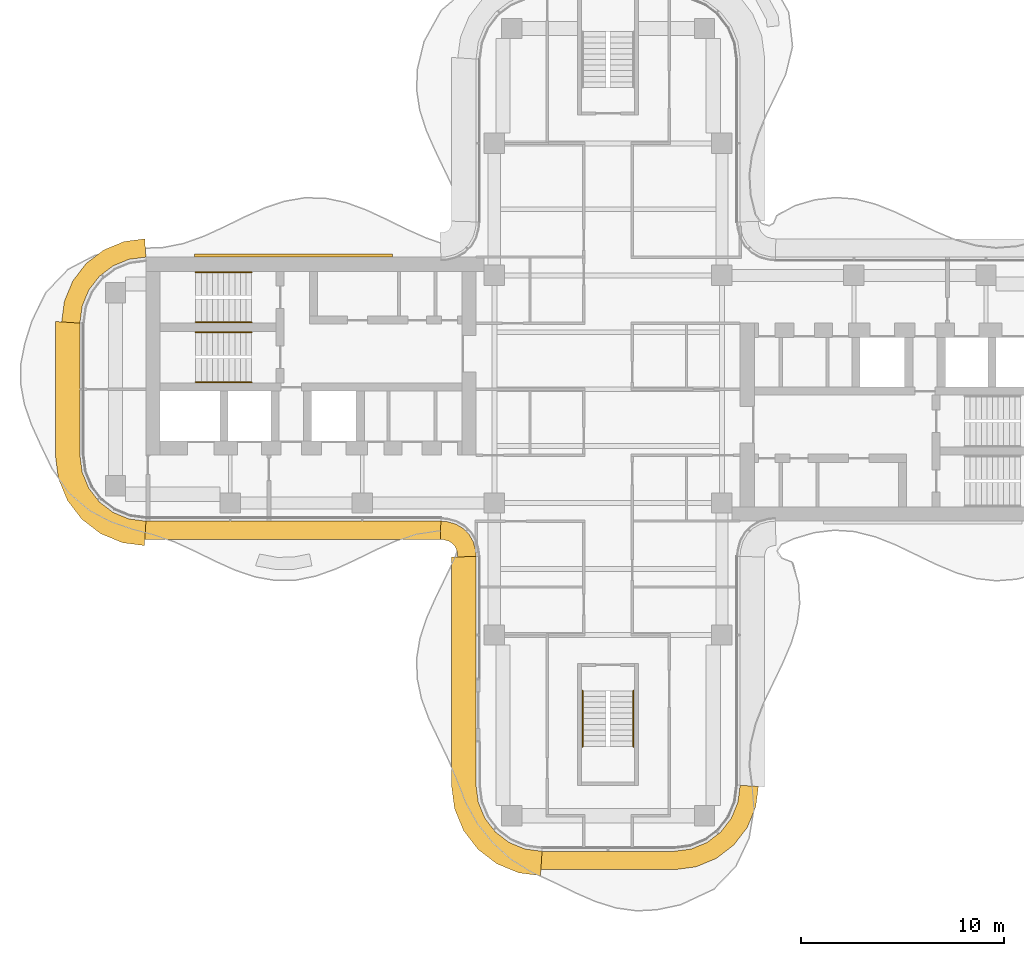
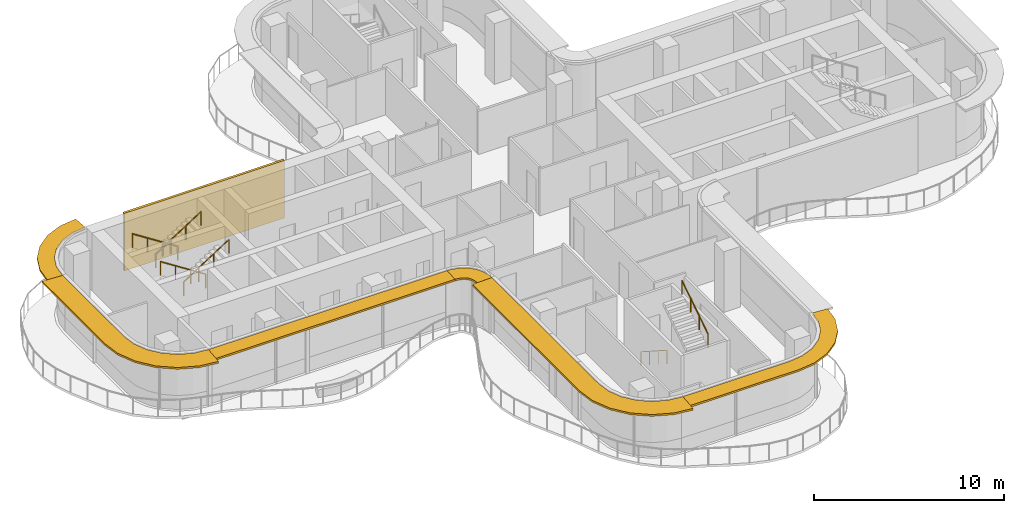
# One storey, part 15 of 16: 6 railings, 6 shading devices, 1 covering.
"""IFC4 building model written with IfcOpenShell, lengths in metres."""

import ifcopenshell
import ifcopenshell.guid

model = None  # the IFC model being written
_history = None  # IfcOwnerHistory: only IFC2X3 demands one
_inside = {}  # id of a spatial element -> (the spatial element, [elements in it])
_under = {}  # id of a project, library or spatial element -> (it, [spatial elements below it])
_declared = {}  # id of a project -> (the project, [libraries it declares])
_typed = {}  # id of a type object -> (the type object, [elements of that type])
_made_of = {}  # id of a material, layer set ... -> (it, [elements and type objects made of it])


def new_model(schema):
    """Start an empty IFC model of exactly this schema.

    Asked for "IFC4X3", IfcOpenShell would pick the latest addendum, in which some entities
    have other attributes; the version numbers below select the first issue.
    IFC2X3 requires an IfcOwnerHistory on every rooted entity: one is made here for all.
    """
    global model, _history
    if schema == "IFC4X3":
        model = ifcopenshell.file(schema_version=(4, 3, 0, 0))
    else:
        model = ifcopenshell.file(schema=schema)
    _inside.clear()
    _under.clear()
    _declared.clear()
    _typed.clear()
    _made_of.clear()
    _history = None
    if model.schema == "IFC2X3":
        org = make("IfcOrganization", Name="unknown")
        user = make(
            "IfcPersonAndOrganization",
            ThePerson=make("IfcPerson", FamilyName="unknown"),
            TheOrganization=org,
        )
        app = make(
            "IfcApplication",
            ApplicationDeveloper=org,
            Version="unknown",
            ApplicationFullName="unknown",
            ApplicationIdentifier="unknown",
        )
        _history = make(
            "IfcOwnerHistory",
            OwningUser=user,
            OwningApplication=app,
            ChangeAction="ADDED",
            CreationDate=0,
        )
    return model


def make(cls, **values):
    """One entity of the class cls with the attributes given. An attribute that is None is left unset."""
    return model.create_entity(
        cls, **{name: value for name, value in values.items() if value is not None}
    )


def rooted(cls, **values):
    """An entity with a GlobalId (a new one), such as an element, a storey or a relation."""
    return make(cls, GlobalId=ifcopenshell.guid.new(), OwnerHistory=_history, **values)


def si_unit(unit_type, name, prefix=None):
    """IfcSIUnit, for example si_unit("LENGTHUNIT", "METRE", prefix="MILLI")."""
    return make("IfcSIUnit", UnitType=unit_type, Prefix=prefix, Name=name)


def assignment(units):
    """IfcUnitAssignment: the units of a project."""
    return None if units is None else make("IfcUnitAssignment", Units=units)


def point(xyz):
    """IfcCartesianPoint."""
    return None if xyz is None else make("IfcCartesianPoint", Coordinates=xyz)


def direction(xyz):
    """IfcDirection."""
    return None if xyz is None else make("IfcDirection", DirectionRatios=xyz)


def frame(location, z_axis=None, x_axis=None):
    """IfcAxis2Placement3D, a coordinate frame: its origin and axes. An axis left out is left unset."""
    return make(
        "IfcAxis2Placement3D",
        Location=point(location),
        Axis=direction(z_axis),
        RefDirection=direction(x_axis),
    )


def frame_2d(location, x_axis=None):
    """IfcAxis2Placement2D, a coordinate frame in the plane: its origin and x axis."""
    return make(
        "IfcAxis2Placement2D", Location=point(location), RefDirection=direction(x_axis)
    )


def origin():
    """The frame at (0, 0, 0) with its axes left unset."""
    return frame((0.0, 0.0, 0.0))


def origin_2d():
    """The frame at (0, 0) in the plane with its x axis left unset."""
    return frame_2d((0.0, 0.0))


def place(relative_to, where):
    """IfcLocalPlacement: puts the frame where relative to a parent placement (None: the world)."""
    return make(
        "IfcLocalPlacement", PlacementRelTo=relative_to, RelativePlacement=where
    )


def context(
    kind, dimensions, precision=None, world=None, true_north=None, identifier=None
):
    """IfcGeometricRepresentationContext, for example the 3D "Model" context."""
    return make(
        "IfcGeometricRepresentationContext",
        ContextIdentifier=identifier,
        ContextType=kind,
        CoordinateSpaceDimension=dimensions,
        Precision=precision,
        WorldCoordinateSystem=world,
        TrueNorth=true_north,
    )


def subcontext(parent, identifier, kind, view, scale=None):
    """IfcGeometricRepresentationSubContext, for example "Body" below "Model"."""
    return make(
        "IfcGeometricRepresentationSubContext",
        ContextIdentifier=identifier,
        ContextType=kind,
        ParentContext=parent,
        TargetScale=scale,
        TargetView=view,
    )


def project(units=None, contexts=None):
    """IfcProject with its units and contexts."""
    return rooted(
        "IfcProject",
        Name="project",
        RepresentationContexts=contexts,
        UnitsInContext=assignment(units),
    )


def spatial(cls, under=None, at=None, **own):
    """A site, building, storey or space (cls), placed at a placement, below another one or the project."""
    s = rooted(cls, ObjectPlacement=at, **own)
    if under is not None:
        _under.setdefault(under.id(), (under, []))[1].append(s)
    return s


def polyline(points):
    """IfcPolyline through the points."""
    return make("IfcPolyline", Points=[point(p) for p in points])


def profile(cls, at=None, kind="AREA", **sizes):
    """A parametric profile (cls). Its sizes go by their IFC names, for example OverallWidth=200.0."""
    return make(cls, ProfileType=kind, Position=at, **sizes)


def circle(**sizes):
    """IfcCircleProfileDef."""
    return profile("IfcCircleProfileDef", **sizes)


def outline(outer, holes=None, kind="AREA"):
    """IfcArbitraryClosedProfileDef: a profile drawn as a closed curve; with holes, ...WithVoids."""
    if holes is None:
        return make("IfcArbitraryClosedProfileDef", ProfileType=kind, OuterCurve=outer)
    return make(
        "IfcArbitraryProfileDefWithVoids",
        ProfileType=kind,
        OuterCurve=outer,
        InnerCurves=holes,
    )


def extrude(swept, where, along, depth):
    """IfcExtrudedAreaSolid: the profile swept, set in the frame where, extruded along a direction by depth."""
    return make(
        "IfcExtrudedAreaSolid",
        SweptArea=swept,
        Position=where,
        ExtrudedDirection=direction(along),
        Depth=depth,
    )


def shape(context_of_items, identifier, shape_type, items):
    """IfcShapeRepresentation: the items that make up one representation, for example the "Body"."""
    return make(
        "IfcShapeRepresentation",
        ContextOfItems=context_of_items,
        RepresentationIdentifier=identifier,
        RepresentationType=shape_type,
        Items=items,
    )


def source(mapping_origin, context_of_items, identifier, shape_type, items):
    """IfcRepresentationMap: a shape defined once, which mapped items show again and again."""
    return make(
        "IfcRepresentationMap",
        MappingOrigin=mapping_origin,
        MappedRepresentation=shape(context_of_items, identifier, shape_type, items),
    )


def transform(
    local_origin,
    x_axis=None,
    y_axis=None,
    z_axis=None,
    scale=None,
    scale2=None,
    scale3=None,
    uniform=True,
):
    """IfcCartesianTransformationOperator3D, or its non-uniform kind. x_axis, y_axis, z_axis: its Axis1, 2, 3."""
    if uniform:
        return make(
            "IfcCartesianTransformationOperator3D",
            Axis1=direction(x_axis),
            Axis2=direction(y_axis),
            LocalOrigin=point(local_origin),
            Scale=scale,
            Axis3=direction(z_axis),
        )
    return make(
        "IfcCartesianTransformationOperator3DnonUniform",
        Axis1=direction(x_axis),
        Axis2=direction(y_axis),
        LocalOrigin=point(local_origin),
        Scale=scale,
        Axis3=direction(z_axis),
        Scale2=scale2,
        Scale3=scale3,
    )


def mapped(mapping_source, mapping_target):
    """IfcMappedItem: shows the shape of a source again, moved by a transform."""
    return make(
        "IfcMappedItem", MappingSource=mapping_source, MappingTarget=mapping_target
    )


def material(Name=None, Category=None):
    """IfcMaterial."""
    return make("IfcMaterial", Name=Name, Category=Category)


def layer(
    of_material, thickness, ventilated=None, Name=None, Category=None, Priority=None
):
    """IfcMaterialLayer: one layer of a wall or slab, of a material (None: an air gap)."""
    return make(
        "IfcMaterialLayer",
        Material=of_material,
        LayerThickness=thickness,
        IsVentilated=ventilated,
        Name=Name,
        Category=Category,
        Priority=Priority,
    )


def layer_set(layers, Name=None):
    """IfcMaterialLayerSet."""
    return make("IfcMaterialLayerSet", MaterialLayers=layers, LayerSetName=Name)


def made_of(thing, what):
    """Note that an element or type object is made of a material, layer set ...; save() writes the relation."""
    if what is not None:
        _made_of.setdefault(what.id(), (what, []))[1].append(thing)
    return thing


def type_object(cls, material=None, **own):
    """A type object (cls), such as IfcWallType, which elements share."""
    return made_of(rooted(cls, **own), material)


def element(
    cls,
    number,
    at=None,
    inside=None,
    cuts=None,
    type_object=None,
    material=None,
    context=None,
    identifier="Body",
    shape_type=None,
    held_by="IfcProductDefinitionShape",
    body=None,
    shapes=None,
    **own,
):
    """One element of the class cls, such as IfcWall. Its Tag is "e" and its number.

    at: its placement. inside: the storey or other place that contains it. cuts: it is an
    opening in that element (IfcRelVoidsElement). A single representation is given by context,
    identifier, shape_type and body (its items); several are given by shapes. held_by: the class
    of the entity that holds the representations. save() writes the other relations.
    """
    e = rooted(cls, Tag="e%d" % number, ObjectPlacement=at, **own)
    if body is not None:
        shapes = [shape(context, identifier, shape_type, body)]
    if shapes is not None:
        e.Representation = make(held_by, Representations=shapes)
    if inside is not None:
        _inside.setdefault(inside.id(), (inside, []))[1].append(e)
    if cuts is not None:
        rooted(
            "IfcRelVoidsElement", RelatingBuildingElement=cuts, RelatedOpeningElement=e
        )
    if type_object is not None:
        _typed.setdefault(type_object.id(), (type_object, []))[1].append(e)
    return made_of(e, material)


def aggregate(whole, parts):
    """IfcRelAggregates: a whole, such as a stair, and the parts it consists of."""
    return rooted("IfcRelAggregates", RelatingObject=whole, RelatedObjects=parts)


def save(model, path):
    """Write the relations noted so far, then the file.

    IfcRelAggregates (storeys below a building ...), IfcRelContainedInSpatialStructure (elements
    in a storey), IfcRelDefinesByType, IfcRelAssociatesMaterial and IfcRelDeclares: one each for
    every whole, place, type object, material and project.
    """
    for whole, parts in _under.values():
        aggregate(whole, parts)
    for where, things in _inside.values():
        rooted(
            "IfcRelContainedInSpatialStructure",
            RelatedElements=things,
            RelatingStructure=where,
        )
    for kind, things in _typed.values():
        rooted("IfcRelDefinesByType", RelatedObjects=things, RelatingType=kind)
    for what, things in _made_of.values():
        rooted("IfcRelAssociatesMaterial", RelatedObjects=things, RelatingMaterial=what)
    for by, libraries in _declared.values():
        rooted("IfcRelDeclares", RelatingContext=by, RelatedDefinitions=libraries)
    model.write(path)


model = new_model("IFC4")

# Units and contexts
model_context = context("Model", 3, precision=1e-05, world=origin(), true_north=direction((0.0, 1.0)))
body_context = subcontext(model_context, "Body", "Model", "MODEL_VIEW")
ifc_project = project(units=[si_unit("LENGTHUNIT", "METRE"), si_unit("AREAUNIT", "SQUARE_METRE"), si_unit("VOLUMEUNIT", "CUBIC_METRE"), si_unit("PLANEANGLEUNIT", "RADIAN"), si_unit("MASSUNIT", "GRAM", prefix="KILO")], contexts=[model_context])

# Site, building, storey
site_placement = place(None, origin())
site = spatial("IfcSite", under=ifc_project, at=site_placement, CompositionType="ELEMENT")
building_placement = place(site_placement, origin())
building = spatial("IfcBuilding", under=site, at=building_placement, Name="Trellis Farm Tower", CompositionType="ELEMENT")
storey_placement = place(building_placement, frame((0.0, 0.0, 310.60009765625)))
storey = spatial("IfcBuildingStorey", under=building, at=storey_placement, Name="L70", CompositionType="ELEMENT", Elevation=310.60009765625)

# Railings
ifc_material_1 = material(Name="Stainless steel", Category="steel")
railing_type = type_object("IfcRailingType", Name="STAIR HANDRAIL 900", PredefinedType="HANDRAIL", material=ifc_material_1)
shared_shape_1 = source(origin(), body_context, "Body", "SweptSolid", [
    extrude(circle(Radius=0.02392578125, at=origin_2d()), frame((0.0, 0.0, 0.8759765625), z_axis=(0.0, 0.840503830235, 0.541805602924), x_axis=(-1.0, 0.0, 0.0)), (0.0, 0.0, 1.0), 3.271728515625),
    extrude(circle(Radius=0.02099609375, at=origin_2d()), origin(), (0.0, 0.0, 1.0), 0.851806640625),
    extrude(circle(Radius=0.02099609375, at=origin_2d()), frame((0.0, 0.916748046875, 0.5908203125)), (0.0, 0.0, 1.0), 0.851806640625),
    extrude(circle(Radius=0.02099609375, at=origin_2d()), frame((0.0, 1.833251953125, 1.181884765625)), (0.0, 0.0, 1.0), 0.851806640625),
    extrude(circle(Radius=0.02099609375, at=origin_2d()), frame((0.0, 2.75, 1.772705078125)), (0.0, 0.0, 1.0), 0.851806640625),
])
railing_1_placement = place(storey_placement, frame((1.25, -17.60009765625, 2.127197265625)))
element("IfcRailing", 1, at=railing_1_placement, inside=storey, type_object=railing_type, Name="Stair handrail", PredefinedType="HANDRAIL", context=body_context, shape_type="MappedRepresentation", body=[
    mapped(shared_shape_1, transform((0.0, 0.0, 0.0))),
])
shared_shape_2 = source(origin(), body_context, "Body", "SweptSolid", [
    extrude(circle(Radius=0.02392578125, at=origin_2d()), frame((0.0, 0.0, 0.8759765625), z_axis=(0.0, -0.840503830235, 0.541805602924), x_axis=(1.0, 0.0, 0.0)), (0.0, 0.0, 1.0), 3.271728515625),
    extrude(circle(Radius=0.02099609375, at=origin_2d()), origin(), (0.0, 0.0, 1.0), 0.851806640625),
    extrude(circle(Radius=0.02099609375, at=origin_2d()), frame((0.0, -0.916748046875, 0.5908203125)), (0.0, 0.0, 1.0), 0.851806640625),
    extrude(circle(Radius=0.02099609375, at=origin_2d()), frame((0.0, -1.833251953125, 1.181884765625)), (0.0, 0.0, 1.0), 0.851806640625),
    extrude(circle(Radius=0.02099609375, at=origin_2d()), frame((0.0, -2.75, 1.772705078125)), (0.0, 0.0, 1.0), 0.851806640625),
])
railing_2_placement = place(storey_placement, frame((-1.25, -14.85009765625, 0.17724609375)))
element("IfcRailing", 2, at=railing_2_placement, inside=storey, type_object=railing_type, Name="Stair handrail", PredefinedType="HANDRAIL", context=body_context, shape_type="MappedRepresentation", body=[
    mapped(shared_shape_2, transform((0.0, 0.0, 0.0))),
])
shared_shape_3 = source(origin(), body_context, "Body", "SweptSolid", [
    extrude(circle(Radius=0.02392578125, at=origin_2d()), frame((0.0, 0.0, 0.8759765625), z_axis=(0.840503830235, 0.0, 0.541805602924), x_axis=(0.0, 1.0, 0.0)), (0.0, 0.0, 1.0), 3.271728515625),
    extrude(circle(Radius=0.02099609375, at=origin_2d()), origin(), (0.0, 0.0, 1.0), 0.851806640625),
    extrude(circle(Radius=0.02099609375, at=origin_2d()), frame((0.916748046875, 0.0, 0.5908203125)), (0.0, 0.0, 1.0), 0.851806640625),
    extrude(circle(Radius=0.02099609375, at=origin_2d()), frame((1.833251953125, 0.0, 1.181884765625)), (0.0, 0.0, 1.0), 0.851806640625),
    extrude(circle(Radius=0.02099609375, at=origin_2d()), frame((2.75, 0.0, 1.772705078125)), (0.0, 0.0, 1.0), 0.851806640625),
])
for number, where, name in (
    (3, (-20.300048828125, 3.300048828125, 2.127197265625), "Stair handrail"),
    (4, (-20.300048828125, 0.35009765625, 2.127197265625), "Stair handrail"),
):
    element("IfcRailing", number, at=place(storey_placement, frame(where)), inside=storey, type_object=railing_type, Name=name, PredefinedType="HANDRAIL", context=body_context, shape_type="MappedRepresentation", body=[
        mapped(shared_shape_3, transform((0.0, 0.0, 0.0))),
    ])
shared_shape_4 = source(origin(), body_context, "Body", "SweptSolid", [
    extrude(circle(Radius=0.02392578125, at=origin_2d()), frame((0.0, 0.0, 0.8759765625), z_axis=(-0.840503830235, 0.0, 0.541805602924), x_axis=(0.0, -1.0, 0.0)), (0.0, 0.0, 1.0), 3.271728515625),
    extrude(circle(Radius=0.02099609375, at=origin_2d()), origin(), (0.0, 0.0, 1.0), 0.851806640625),
    extrude(circle(Radius=0.02099609375, at=origin_2d()), frame((-0.916748046875, 0.0, 0.5908203125)), (0.0, 0.0, 1.0), 0.851806640625),
    extrude(circle(Radius=0.02099609375, at=origin_2d()), frame((-1.833251953125, 0.0, 1.181884765625)), (0.0, 0.0, 1.0), 0.851806640625),
    extrude(circle(Radius=0.02099609375, at=origin_2d()), frame((-2.75, 0.0, 1.772705078125)), (0.0, 0.0, 1.0), 0.851806640625),
])
for number, where, name in (
    (5, (-17.550048828125, 5.75, 0.17724609375), "Stair handrail"),
    (6, (-17.550048828125, 2.800048828125, 0.17724609375), "Stair handrail"),
):
    element("IfcRailing", number, at=place(storey_placement, frame(where)), inside=storey, type_object=railing_type, Name=name, PredefinedType="HANDRAIL", context=body_context, shape_type="MappedRepresentation", body=[
        mapped(shared_shape_4, transform((0.0, 0.0, 0.0))),
    ])

# Shading devices
ifc_material_2 = material(Name="Aluminium extrusion 6063-T6", Category="aluminium")
ifc_layer_1 = layer(ifc_material_2, 0.1201171875)
ifc_layer_set_1 = layer_set([ifc_layer_1], Name="SUNSHADE BLADE 900")
shading_device_type_1 = type_object("IfcShadingDeviceType", Name="SUNSHADE BLADE 900", PredefinedType="USERDEFINED", material=ifc_layer_set_1)
shared_shape_5 = source(origin(), body_context, "Body", "SweptSolid", [
    extrude(outline(polyline([(-8.2607421875, -7.39990234375), (-8.107666015625, -7.409912109375), (-8.091552734375, -7.412109375), (-7.85595703125, -7.475341796875), (-7.697021484375, -7.567138671875), (-7.567138671875, -7.697021484375), (-7.475341796875, -7.85595703125), (-7.412109375, -8.091552734375), (-7.409912109375, -8.107666015625), (-7.39990234375, -8.2607421875), (-6.5, -8.2314453125), (-6.513916015625, -8.01953125), (-6.527587890625, -7.91552734375), (-6.63671875, -7.508544921875), (-6.846923828125, -7.144287109375), (-7.144287109375, -6.846923828125), (-7.508544921875, -6.63671875), (-7.91552734375, -6.527587890625), (-8.01953125, -6.513916015625), (-8.2314453125, -6.5), (-8.2607421875, -7.39990234375)])), origin(), (0.0, 0.0, 1.0), 0.1201171875),
])
placement = place(storey_placement, frame((0.0, 0.0, 3.539794921875)))
element("IfcShadingDevice", 7, at=placement, inside=storey, type_object=shading_device_type_1, Name="SD1 002", ObjectType="SUNSHADE", PredefinedType="USERDEFINED", context=body_context, shape_type="MappedRepresentation", body=[
    mapped(shared_shape_5, transform((0.0, 0.0, 0.0))),
])
ifc_layer_2 = layer(ifc_material_2, 0.1201171875)
ifc_layer_set_2 = layer_set([ifc_layer_2], Name="SUNSHADE BLADE 1200")
shading_device_type_2 = type_object("IfcShadingDeviceType", Name="SUNSHADE BLADE 1200", PredefinedType="USERDEFINED", material=ifc_layer_set_2)
shared_shape_6 = source(origin(), body_context, "Body", "SweptSolid", [
    extrude(outline(polyline([(-7.699951171875, -8.270751953125), (-7.699951171875, -19.57861328125), (-7.558349609375, -20.654541015625), (-7.11279296875, -21.730224609375), (-6.404052734375, -22.654052734375), (-5.480224609375, -23.36279296875), (-4.404541015625, -23.808349609375), (-3.32861328125, -23.949951171875), (-3.25, -22.75), (-4.091064453125, -22.63916015625), (-4.875, -22.314697265625), (-5.548095703125, -21.798095703125), (-6.064697265625, -21.125), (-6.38916015625, -20.341064453125), (-6.5, -19.5), (-6.5, -8.2314453125), (-7.699951171875, -8.270751953125)])), origin(), (0.0, 0.0, 1.0), 0.1201171875),
])
element("IfcShadingDevice", 8, at=placement, inside=storey, type_object=shading_device_type_2, Name="SD2 003", ObjectType="SUNSHADE", PredefinedType="USERDEFINED", context=body_context, shape_type="MappedRepresentation", body=[
    mapped(shared_shape_6, transform((0.0, 0.0, 0.0))),
])
shared_shape_7 = source(origin(), body_context, "Body", "SweptSolid", [
    extrude(outline(polyline([(-3.30908203125, -23.64990234375), (3.30908203125, -23.64990234375), (4.326171875, -23.51611328125), (5.328857421875, -23.100830078125), (6.18994140625, -22.43994140625), (6.850830078125, -21.578857421875), (7.26611328125, -20.576171875), (7.39990234375, -19.55908203125), (6.5, -19.5), (6.38916015625, -20.341064453125), (6.064697265625, -21.125), (5.548095703125, -21.798095703125), (4.875, -22.314697265625), (4.091064453125, -22.63916015625), (3.25, -22.75), (-3.25, -22.75), (-3.30908203125, -23.64990234375)])), origin(), (0.0, 0.0, 1.0), 0.1201171875),
])
element("IfcShadingDevice", 9, at=placement, inside=storey, type_object=shading_device_type_1, Name="SD1 004", ObjectType="SUNSHADE", PredefinedType="USERDEFINED", context=body_context, shape_type="MappedRepresentation", body=[
    mapped(shared_shape_7, transform((0.0, 0.0, 0.0))),
])
shared_shape_8 = source(origin(), body_context, "Body", "SweptSolid", [
    extrude(outline(polyline([(-22.80908203125, -7.39990234375), (-8.2607421875, -7.39990234375), (-8.2314453125, -6.5), (-22.75, -6.5), (-22.80908203125, -7.39990234375)])), origin(), (0.0, 0.0, 1.0), 0.1201171875),
])
element("IfcShadingDevice", 10, at=placement, inside=storey, type_object=shading_device_type_1, Name="SD1 001", ObjectType="SUNSHADE", PredefinedType="USERDEFINED", context=body_context, shape_type="MappedRepresentation", body=[
    mapped(shared_shape_8, transform((0.0, 0.0, 0.0))),
])
shared_shape_9 = source(origin(), body_context, "Body", "SweptSolid", [
    extrude(outline(polyline([(-22.80908203125, 7.39990234375), (-23.826171875, 7.26611328125), (-24.828857421875, 6.850830078125), (-25.68994140625, 6.18994140625), (-26.350830078125, 5.328857421875), (-26.76611328125, 4.326171875), (-26.89990234375, 3.30908203125), (-26.0, 3.25), (-25.88916015625, 4.091064453125), (-25.564697265625, 4.875), (-25.048095703125, 5.548095703125), (-24.375, 6.064697265625), (-23.591064453125, 6.38916015625), (-22.75, 6.5), (-22.80908203125, 7.39990234375)])), origin(), (0.0, 0.0, 1.0), 0.1201171875),
])
element("IfcShadingDevice", 11, at=placement, inside=storey, type_object=shading_device_type_1, Name="SD1 016", ObjectType="SUNSHADE", PredefinedType="USERDEFINED", context=body_context, shape_type="MappedRepresentation", body=[
    mapped(shared_shape_9, transform((0.0, 0.0, 0.0))),
])
shared_shape_10 = source(origin(), body_context, "Body", "SweptSolid", [
    extrude(outline(polyline([(-27.199951171875, 3.32861328125), (-27.199951171875, -3.32861328125), (-27.058349609375, -4.404541015625), (-26.61279296875, -5.480224609375), (-25.904052734375, -6.404052734375), (-24.980224609375, -7.11279296875), (-23.904541015625, -7.558349609375), (-22.82861328125, -7.699951171875), (-22.75, -6.5), (-23.591064453125, -6.38916015625), (-24.375, -6.064697265625), (-25.048095703125, -5.548095703125), (-25.564697265625, -4.875), (-25.88916015625, -4.091064453125), (-26.0, -3.25), (-26.0, 3.25), (-27.199951171875, 3.32861328125)])), origin(), (0.0, 0.0, 1.0), 0.1201171875),
])
element("IfcShadingDevice", 12, at=placement, inside=storey, type_object=shading_device_type_2, Name="SD2 017", ObjectType="SUNSHADE", PredefinedType="USERDEFINED", context=body_context, shape_type="MappedRepresentation", body=[
    mapped(shared_shape_10, transform((0.0, 0.0, 0.0))),
])

# Covering
ifc_material_3 = material(Name="Perforated precast screen (cobogo)", Category="concrete")
ifc_layer_3 = layer(ifc_material_3, 0.14990234375)
ifc_layer_set_3 = layer_set([ifc_layer_3], Name="COBOGO SCREEN PANEL")
covering_type = type_object("IfcCoveringType", Name="COBOGO SCREEN PANEL", PredefinedType="USERDEFINED", material=ifc_layer_set_3)
shared_shape_11 = source(origin(), body_context, "Body", "SweptSolid", [
    extrude(outline(polyline([(-10.61572265625, 6.64990234375), (-20.36572265625, 6.64990234375), (-20.36572265625, 6.5), (-10.61572265625, 6.5), (-10.61572265625, 6.64990234375)])), origin(), (0.0, 0.0, 1.0), 3.699951171875),
])
covering_placement = place(storey_placement, origin())
element("IfcCovering", 13, at=covering_placement, inside=storey, type_object=covering_type, Name="SC1 03", ObjectType="SCREEN", PredefinedType="USERDEFINED", context=body_context, shape_type="MappedRepresentation", body=[
    mapped(shared_shape_11, transform((0.0, 0.0, 0.0))),
])

save(model, "model.ifc")
